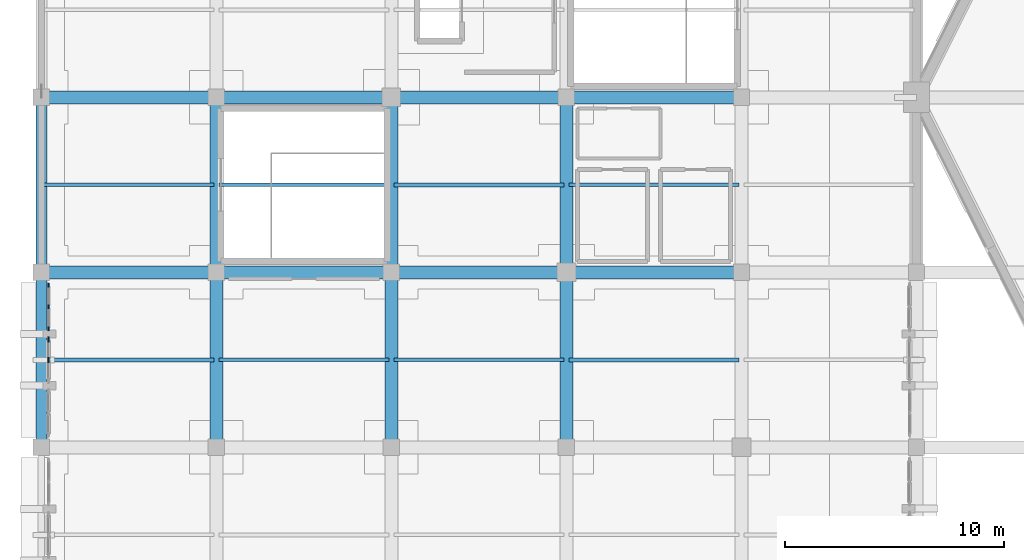
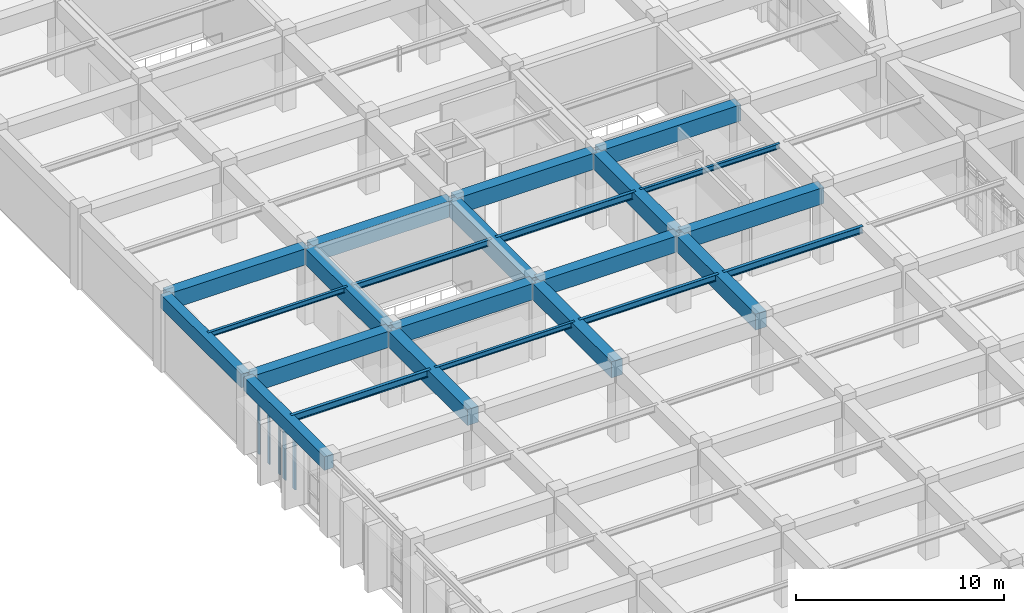
# One storey, part 15 of 155: 24 beams, 5 members, 2 elements without a shape of their own.
"""IFC4 building model written with IfcOpenShell, lengths in metres."""

from ifc_helpers import new_model, si_unit, direction, frame, origin, origin_2d, place, context, subcontext, project, spatial, rectangle, i_section, extrude, material, layer, layer_set, material_profile, profile_set, type_object, element, aggregate, save


model = new_model("IFC4")

# Units and contexts
model_context = context("Model", 3, precision=1e-05, world=origin(), true_north=direction((0.0, 1.0)))
body_context = subcontext(model_context, "Body", "Model", "MODEL_VIEW")
ifc_project = project(units=[si_unit("LENGTHUNIT", "METRE"), si_unit("AREAUNIT", "SQUARE_METRE"), si_unit("VOLUMEUNIT", "CUBIC_METRE"), si_unit("PLANEANGLEUNIT", "RADIAN"), si_unit("MASSUNIT", "GRAM", prefix="KILO")], contexts=[model_context])

# Site, building, storey
site_placement = place(None, origin())
site = spatial("IfcSite", under=ifc_project, at=site_placement, CompositionType="ELEMENT")
building_placement = place(site_placement, origin())
building = spatial("IfcBuilding", under=site, at=building_placement, Name="Tazarka Park Arena", CompositionType="ELEMENT")
storey_placement = place(building_placement, frame((0.0, 0.0, 5.39990234375)))
storey = spatial("IfcBuildingStorey", under=building, at=storey_placement, Name="L01", CompositionType="ELEMENT", Elevation=5.39990234375)

# Beams
ifc_material_1 = material(Name="Concrete C40/50", Category="concrete")
ifc_material_profile_1 = material_profile(ifc_material_1, rectangle(XDim=0.60009765625, YDim=0.949951171875, at=origin_2d()), Name="Concrete C40/50")
ifc_profile_set_1 = profile_set([ifc_material_profile_1], Name="Concrete C40/50")
beam_type_1 = type_object("IfcBeamType", Name="BM-B-03", PredefinedType="BEAM", material=ifc_profile_set_1)
for number, where, z_axis, x_axis, name in (
    (1, (0.1201171875, 56.0, 3.945068359375), (1.0, 0.0, 0.0), (0.0, 1.0, 0.0), "GXM-L01-00-07"),
    (2, (0.1201171875, 64.0, 3.945068359375), (1.0, 0.0, 0.0), (0.0, 1.0, 0.0), "GXM-L01-00-08"),
    (3, (8.0, 48.1201171875, 3.945068359375), (0.0, 1.0, 0.0), (-1.0, 0.0, 0.0), "GYM-L01-01-06"),
    (4, (8.1201171875, 56.0, 3.945068359375), (1.0, 0.0, 0.0), (0.0, 1.0, 0.0), "GXM-L01-01-07"),
    (5, (8.0, 56.1201171875, 3.945068359375), (0.0, 1.0, 0.0), (-1.0, 0.0, 0.0), "GYM-L01-01-07"),
    (6, (8.1201171875, 64.0, 3.945068359375), (1.0, 0.0, 0.0), (0.0, 1.0, 0.0), "GXM-L01-01-08"),
    (7, (16.0, 48.1201171875, 3.945068359375), (0.0, 1.0, 0.0), (-1.0, 0.0, 0.0), "GYM-L01-02-06"),
    (8, (16.1201171875, 56.0, 3.945068359375), (1.0, 0.0, 0.0), (0.0, 1.0, 0.0), "GXM-L01-02-07"),
    (9, (16.0, 56.1201171875, 3.945068359375), (0.0, 1.0, 0.0), (-1.0, 0.0, 0.0), "GYM-L01-02-07"),
    (10, (16.1201171875, 64.0, 3.945068359375), (1.0, 0.0, 0.0), (0.0, 1.0, 0.0), "GXM-L01-02-08"),
    (11, (24.0, 48.1201171875, 3.945068359375), (0.0, 1.0, 0.0), (-1.0, 0.0, 0.0), "GYM-L01-03-06"),
    (12, (24.1201171875, 56.0, 3.945068359375), (1.0, 0.0, 0.0), (0.0, 1.0, 0.0), "GXM-L01-03-07"),
    (13, (24.0, 56.1201171875, 3.945068359375), (0.0, 1.0, 0.0), (-1.0, 0.0, 0.0), "GYM-L01-03-07"),
    (14, (24.1201171875, 64.0, 3.945068359375), (1.0, 0.0, 0.0), (0.0, 1.0, 0.0), "GXM-L01-03-08"),
):
    element("IfcBeam", number, at=place(storey_placement, frame(where, z_axis=z_axis, x_axis=x_axis)), inside=storey, type_object=beam_type_1, Name=name, PredefinedType="BEAM", context=body_context, shape_type="SweptSolid", body=[
        extrude(rectangle(XDim=0.60009765625, YDim=0.949951171875, at=origin_2d()), origin(), (0.0, 0.0, 1.0), 7.759765625),
    ])
ifc_material_2 = material(Name="Steel S355", Category="steel")
ifc_material_profile_2 = material_profile(ifc_material_2, i_section(OverallWidth=0.14990234375, OverallDepth=0.300048828125, WebThickness=0.007080078125, FlangeThickness=0.0107421875, FilletRadius=0.014892578125, at=origin_2d()), Name="Steel S355")
ifc_profile_set_2 = profile_set([ifc_material_profile_2], Name="Steel S355")
beam_type_2 = type_object("IfcBeamType", Name="BM-J-01", PredefinedType="JOIST", material=ifc_profile_set_2)
for number, where, z_axis, x_axis, name in (
    (15, (0.1201171875, 60.0, 4.27001953125), (1.0, 0.0, 0.0), (0.0, 1.0, 0.0), "JST-L01-00-07"),
    (16, (8.1201171875, 52.0, 4.27001953125), (1.0, 0.0, 0.0), (0.0, 1.0, 0.0), "JST-L01-01-06"),
    (17, (24.1201171875, 60.0, 4.27001953125), (1.0, 0.0, 0.0), (0.0, 1.0, 0.0), "JST-L01-03-07"),
):
    element("IfcBeam", number, at=place(storey_placement, frame(where, z_axis=z_axis, x_axis=x_axis)), inside=storey, type_object=beam_type_2, Name=name, PredefinedType="JOIST", context=body_context, shape_type="SweptSolid", body=[
        extrude(i_section(OverallWidth=0.14990234375, OverallDepth=0.300048828125, WebThickness=0.007080078125, FlangeThickness=0.0107421875, FilletRadius=0.014892578125, at=origin_2d()), origin(), (0.0, 0.0, 1.0), 7.759765625),
    ])
ifc_material_3 = material(Name="Steel S355", Category="steel")
ifc_material_profile_3 = material_profile(ifc_material_3, i_section(OverallWidth=0.169921875, OverallDepth=0.360107421875, WebThickness=0.008056640625, FlangeThickness=0.0126953125, FilletRadius=0.01806640625, at=origin_2d()), Name="Steel S355")
ifc_profile_set_3 = profile_set([ifc_material_profile_3], Name="Steel S355")
beam_type_3 = type_object("IfcBeamType", Name="BM-J-02", PredefinedType="JOIST", material=ifc_profile_set_3)
for number, where, z_axis, x_axis, name in (
    (18, (8.1201171875, 60.0, 4.239990234375), (1.0, 0.0, 0.0), (0.0, 1.0, 0.0), "JST-L01-01-07"),
    (19, (16.1201171875, 52.0, 4.239990234375), (1.0, 0.0, 0.0), (0.0, 1.0, 0.0), "JST-L01-02-06"),
):
    element("IfcBeam", number, at=place(storey_placement, frame(where, z_axis=z_axis, x_axis=x_axis)), inside=storey, type_object=beam_type_3, Name=name, PredefinedType="JOIST", context=body_context, shape_type="SweptSolid", body=[
        extrude(i_section(OverallWidth=0.169921875, OverallDepth=0.360107421875, WebThickness=0.008056640625, FlangeThickness=0.0126953125, FilletRadius=0.01806640625, at=origin_2d()), origin(), (0.0, 0.0, 1.0), 7.759765625),
    ])
ifc_material_4 = material(Name="Steel S355", Category="steel")
ifc_material_profile_4 = material_profile(ifc_material_4, i_section(OverallWidth=0.179931640625, OverallDepth=0.39990234375, WebThickness=0.008544921875, FlangeThickness=0.013427734375, FilletRadius=0.02099609375, at=origin_2d()), Name="Steel S355")
ifc_profile_set_4 = profile_set([ifc_material_profile_4], Name="Steel S355")
beam_type_4 = type_object("IfcBeamType", Name="BM-J-03", PredefinedType="JOIST", material=ifc_profile_set_4)
for number, where, z_axis, x_axis, name in (
    (20, (0.1201171875, 52.0, 4.22021484375), (1.0, 0.0, 0.0), (0.0, 1.0, 0.0), "JST-L01-00-06"),
    (21, (16.1201171875, 60.0, 4.22021484375), (1.0, 0.0, 0.0), (0.0, 1.0, 0.0), "JST-L01-02-07"),
    (22, (24.1201171875, 52.0, 4.22021484375), (1.0, 0.0, 0.0), (0.0, 1.0, 0.0), "JST-L01-03-06"),
):
    element("IfcBeam", number, at=place(storey_placement, frame(where, z_axis=z_axis, x_axis=x_axis)), inside=storey, type_object=beam_type_4, Name=name, PredefinedType="JOIST", context=body_context, shape_type="SweptSolid", body=[
        extrude(i_section(OverallWidth=0.179931640625, OverallDepth=0.39990234375, WebThickness=0.008544921875, FlangeThickness=0.013427734375, FilletRadius=0.02099609375, at=origin_2d()), origin(), (0.0, 0.0, 1.0), 7.759765625),
    ])
ifc_material_5 = material(Name="Concrete C40/50", Category="concrete")
ifc_material_profile_5 = material_profile(ifc_material_5, rectangle(XDim=0.5, YDim=0.800048828125, at=origin_2d()), Name="Concrete C40/50")
ifc_profile_set_5 = profile_set([ifc_material_profile_5], Name="Concrete C40/50")
beam_type_5 = type_object("IfcBeamType", Name="BM-SP-01", PredefinedType="SPANDREL", material=ifc_profile_set_5)
for number, where, z_axis, x_axis, name in (
    (23, (0.0, 48.1201171875, 4.02001953125), (0.0, 1.0, 0.0), (-1.0, 0.0, 0.0), "GYM-L01-00-06"),
    (24, (0.0, 56.1201171875, 4.02001953125), (0.0, 1.0, 0.0), (-1.0, 0.0, 0.0), "GYM-L01-00-07"),
):
    element("IfcBeam", number, at=place(storey_placement, frame(where, z_axis=z_axis, x_axis=x_axis)), inside=storey, type_object=beam_type_5, Name=name, PredefinedType="SPANDREL", context=body_context, shape_type="SweptSolid", body=[
        extrude(rectangle(XDim=0.5, YDim=0.800048828125, at=origin_2d()), origin(), (0.0, 0.0, 1.0), 7.759765625),
    ])

# Curtain wall, members
ifc_material_6 = material(Name="Aluminium and low-e glass", Category="aluminium")
ifc_layer_1 = layer(ifc_material_6, 0.179931640625, Name="Aluminium and low-e glass")
ifc_layer_set_1 = layer_set([ifc_layer_1], Name="Aluminium and low-e glass")
curtain_wall_type_1 = type_object("IfcCurtainWallType", Name="CW-21", PredefinedType="NOTDEFINED", material=ifc_layer_set_1)
curtain_wall_1_placement = place(storey_placement, origin())
curtain_wall_1 = element("IfcCurtainWall", 25, at=curtain_wall_1_placement, inside=storey, type_object=curtain_wall_type_1, Name="Curtain Wall CWA-L01-141", PredefinedType="NOTDEFINED")
ifc_material_7 = material(Name="Aluminium 6060-T66", Category="aluminium")
ifc_material_profile_6 = material_profile(ifc_material_7, rectangle(XDim=0.06494140625, YDim=0.179931640625, at=origin_2d()), Name="Aluminium 6060-T66")
ifc_profile_set_6 = profile_set([ifc_material_profile_6], Name="Aluminium 6060-T66")
member_type_1 = type_object("IfcMemberType", Name="CWM-01", PredefinedType="MULLION", material=ifc_profile_set_6)
member_1_placement = place(storey_placement, frame((0.320068359375, 53.42431640625, 0.0), z_axis=(0.0, 0.0, 1.0), x_axis=(-1.0, 0.0, 0.0)))
member_1 = element("IfcMember", 26, at=member_1_placement, type_object=member_type_1, Name="CW-21 mullion 1", PredefinedType="MULLION", context=body_context, shape_type="SweptSolid", body=[
    extrude(rectangle(XDim=0.06494140625, YDim=0.179931640625, at=origin_2d()), origin(), (0.0, 0.0, 1.0), 3.60009765625),
])
member_2_placement = place(storey_placement, frame((0.320068359375, 54.41845703125, 0.0), z_axis=(0.0, 0.0, 1.0), x_axis=(-1.0, 0.0, 0.0)))
member_2 = element("IfcMember", 27, at=member_2_placement, type_object=member_type_1, Name="CW-21 mullion 2", PredefinedType="MULLION", context=body_context, shape_type="SweptSolid", body=[
    extrude(rectangle(XDim=0.06494140625, YDim=0.179931640625, at=origin_2d()), origin(), (0.0, 0.0, 1.0), 3.60009765625),
])
member_3_placement = place(storey_placement, frame((0.320068359375, 55.41259765625, 0.0), z_axis=(0.0, 0.0, 1.0), x_axis=(-1.0, 0.0, 0.0)))
member_3 = element("IfcMember", 28, at=member_3_placement, type_object=member_type_1, Name="CW-21 mullion 3", PredefinedType="MULLION", context=body_context, shape_type="SweptSolid", body=[
    extrude(rectangle(XDim=0.06494140625, YDim=0.179931640625, at=origin_2d()), origin(), (0.0, 0.0, 1.0), 3.60009765625),
])
aggregate(curtain_wall_1, [member_1, member_2, member_3])

ifc_material_8 = material(Name="Aluminium and low-e glass", Category="aluminium")
ifc_layer_2 = layer(ifc_material_8, 0.179931640625, Name="Aluminium and low-e glass")
ifc_layer_set_2 = layer_set([ifc_layer_2], Name="Aluminium and low-e glass")
curtain_wall_type_2 = type_object("IfcCurtainWallType", Name="CW-20", PredefinedType="NOTDEFINED", material=ifc_layer_set_2)
curtain_wall_2_placement = place(storey_placement, origin())
curtain_wall_2 = element("IfcCurtainWall", 29, at=curtain_wall_2_placement, inside=storey, type_object=curtain_wall_type_2, Name="Curtain Wall CWA-L01-140", PredefinedType="NOTDEFINED")
ifc_material_9 = material(Name="Aluminium 6060-T66", Category="aluminium")
ifc_material_profile_7 = material_profile(ifc_material_9, rectangle(XDim=0.074951171875, YDim=0.25, at=origin_2d()), Name="Aluminium 6060-T66")
ifc_profile_set_7 = profile_set([ifc_material_profile_7], Name="Aluminium 6060-T66")
member_type_2 = type_object("IfcMemberType", Name="CWM-03", PredefinedType="MULLION", material=ifc_profile_set_7)
member_4_placement = place(storey_placement, frame((0.320068359375, 52.0, 0.0), z_axis=(0.0, 0.0, 1.0), x_axis=(-1.0, 0.0, 0.0)))
member_4 = element("IfcMember", 30, at=member_4_placement, type_object=member_type_2, Name="CW-20 mullion 2", PredefinedType="MULLION", context=body_context, shape_type="SweptSolid", body=[
    extrude(rectangle(XDim=0.074951171875, YDim=0.25, at=origin_2d()), origin(), (0.0, 0.0, 1.0), 3.60009765625),
])
member_5_placement = place(storey_placement, frame((0.320068359375, 52.93408203125, 0.0), z_axis=(0.0, 0.0, 1.0), x_axis=(-1.0, 0.0, 0.0)))
member_5 = element("IfcMember", 31, at=member_5_placement, type_object=member_type_2, Name="CW-20 mullion 3", PredefinedType="MULLION", context=body_context, shape_type="SweptSolid", body=[
    extrude(rectangle(XDim=0.074951171875, YDim=0.25, at=origin_2d()), origin(), (0.0, 0.0, 1.0), 3.60009765625),
])
aggregate(curtain_wall_2, [member_4, member_5])

save(model, "model.ifc")
